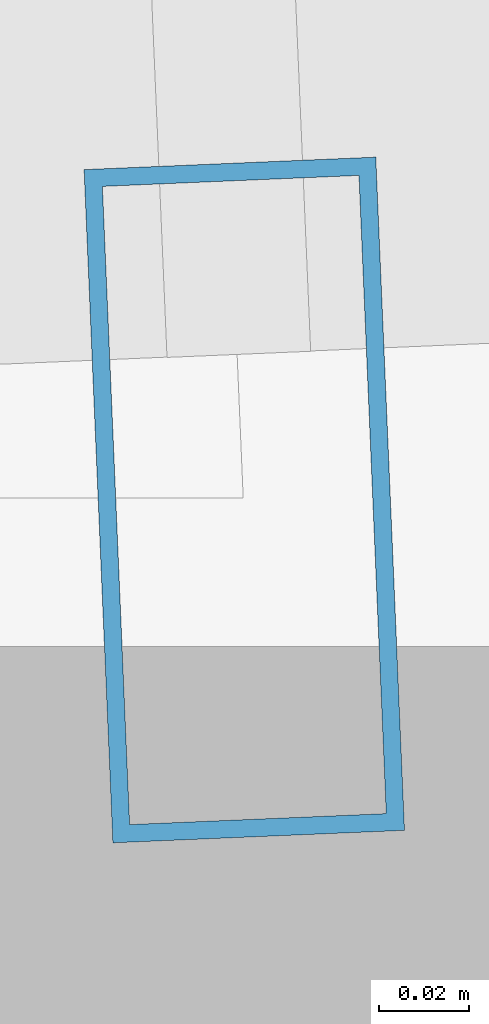
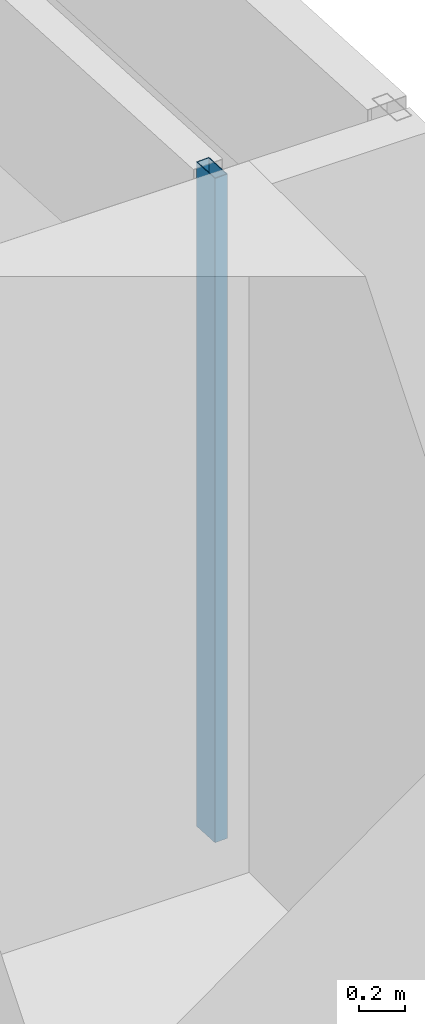
# One storey, part 20 of 42: 1 member, 1 element without a shape of its own.
"""IFC4 building model written with IfcOpenShell, lengths in metres."""

from ifc_helpers import new_model, si_unit, direction, frame, origin, origin_2d, place, context, subcontext, project, spatial, hollow_rectangle, extrude, material, material_profile, profile_set, type_object, element, aggregate, save


model = new_model("IFC4")

# Units and contexts
model_context = context("Model", 3, precision=1e-05, world=origin(), true_north=direction((0.0, 1.0)))
body_context = subcontext(model_context, "Body", "Model", "MODEL_VIEW")
ifc_project = project(units=[si_unit("LENGTHUNIT", "METRE"), si_unit("AREAUNIT", "SQUARE_METRE"), si_unit("VOLUMEUNIT", "CUBIC_METRE"), si_unit("PLANEANGLEUNIT", "RADIAN"), si_unit("MASSUNIT", "GRAM", prefix="KILO")], contexts=[model_context])

# Site, building, storey
site_placement = place(None, origin())
site = spatial("IfcSite", under=ifc_project, at=site_placement, CompositionType="ELEMENT")
building_placement = place(site_placement, origin())
building = spatial("IfcBuilding", under=site, at=building_placement, Name="Rekha Terrace Tower", CompositionType="ELEMENT")
storey_placement = place(building_placement, frame((0.0, 0.0, 70.39990234375)))
storey = spatial("IfcBuildingStorey", under=building, at=storey_placement, Name="L17", CompositionType="ELEMENT", Elevation=70.39990234375)

# Curtain wall, member
ifc_material_1 = material(Name="Aluminium framing", Category="aluminium")
curtain_wall_type = type_object("IfcCurtainWallType", Name="CW1 double skin inner glazing", PredefinedType="USERDEFINED", material=ifc_material_1)
curtain_wall_placement = place(storey_placement, origin())
curtain_wall = element("IfcCurtainWall", 1, at=curtain_wall_placement, inside=storey, type_object=curtain_wall_type, Name="CW1 double skin inner glazing", ObjectType="DOUBLE SKIN INNER GLAZING", PredefinedType="USERDEFINED")
ifc_material_2 = material(Name="Aluminium mullion section", Category="aluminium")
ifc_material_profile = material_profile(ifc_material_2, hollow_rectangle(XDim=0.06494140625, YDim=0.14990234375, WallThickness=0.00390625, at=origin_2d()), Name="AL RHS 65x150")
ifc_profile_set = profile_set([ifc_material_profile], Name="Aluminium mullion section")
member_type = type_object("IfcMemberType", Name="CW1 mullion RHS 65 x 150", PredefinedType="MULLION", material=ifc_profile_set)
member_placement = place(storey_placement, frame((68.313232421875, 51.842529296875, 0.0), z_axis=(0.0, 0.0, 1.0), x_axis=(-0.9990881069, -0.042696073026, 0.0)))
member = element("IfcMember", 2, at=member_placement, type_object=member_type, Name="CW1 mullion 1", PredefinedType="MULLION", context=body_context, shape_type="SweptSolid", body=[
    extrude(hollow_rectangle(XDim=0.06494140625, YDim=0.14990234375, WallThickness=0.00390625, at=origin_2d()), origin(), (0.0, 0.0, 1.0), 3.5),
])
aggregate(curtain_wall, [member])

save(model, "model.ifc")
